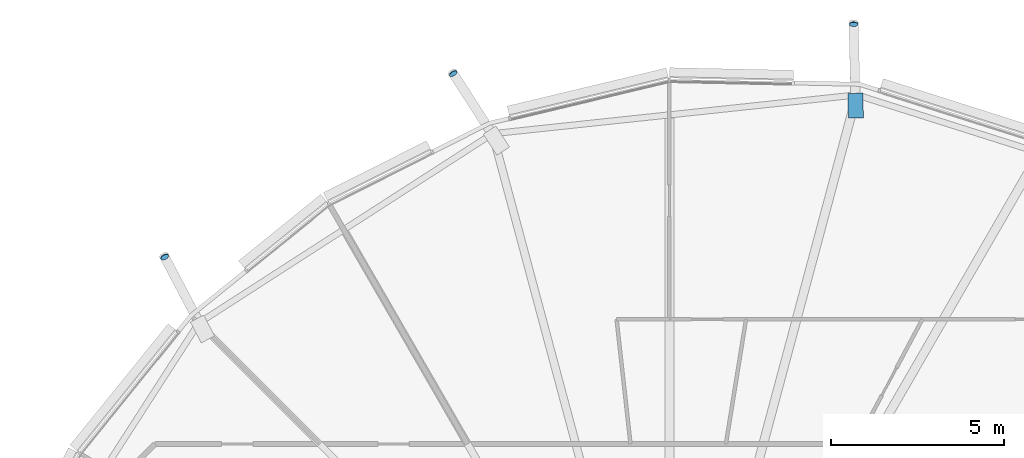
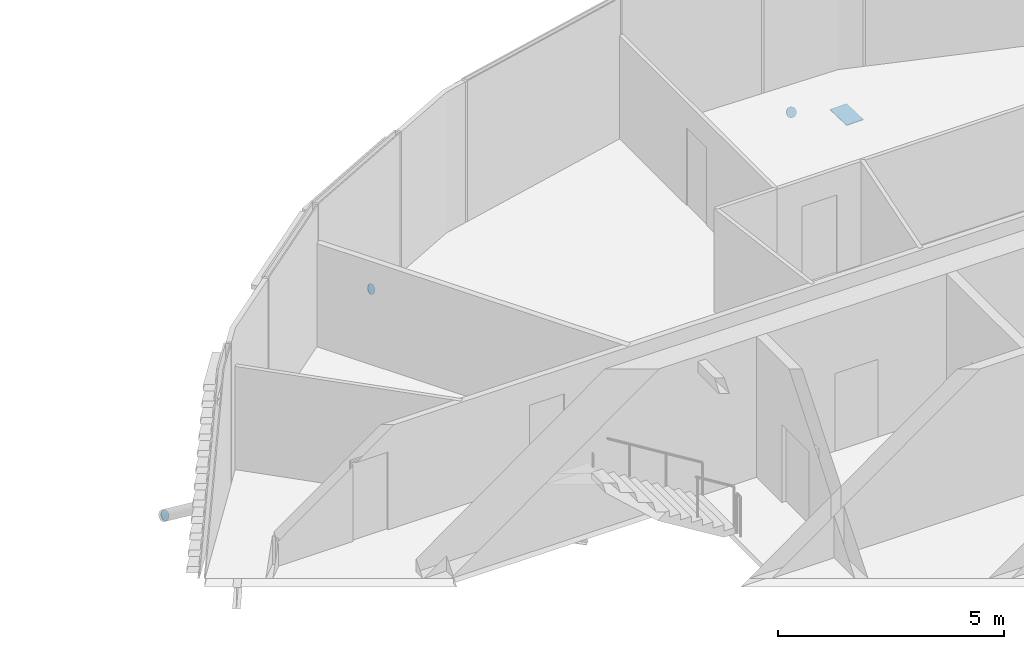
# One storey, part 32 of 38: 4 discrete accessories.
"""IFC4 building model written with IfcOpenShell, lengths in metres."""

from ifc_helpers import new_model, si_unit, direction, frame, origin, origin_2d, place, context, subcontext, project, spatial, polyline, rectangle, circle, outline, extrude, material, material_profile, profile_set, type_object, element, save


model = new_model("IFC4")

# Units and contexts
model_context = context("Model", 3, precision=1e-05, world=origin(), true_north=direction((0.0, 1.0)))
body_context = subcontext(model_context, "Body", "Model", "MODEL_VIEW")
ifc_project = project(units=[si_unit("LENGTHUNIT", "METRE"), si_unit("AREAUNIT", "SQUARE_METRE"), si_unit("VOLUMEUNIT", "CUBIC_METRE"), si_unit("PLANEANGLEUNIT", "RADIAN"), si_unit("MASSUNIT", "GRAM", prefix="KILO")], contexts=[model_context])

# Site, building, storey
site_placement = place(None, origin())
site = spatial("IfcSite", under=ifc_project, at=site_placement, CompositionType="ELEMENT")
building_placement = place(site_placement, origin())
building = spatial("IfcBuilding", under=site, at=building_placement, Name="Rimbun Link Towers", CompositionType="ELEMENT")
storey_placement = place(building_placement, frame((0.0, 0.0, 185.5)))
storey = spatial("IfcBuildingStorey", under=building, at=storey_placement, Name="L45", CompositionType="ELEMENT", Elevation=185.5)

# Discrete accessories
ifc_material_1 = material(Name="Steel S355J2H", Category="steel")
ifc_material_profile_1 = material_profile(ifc_material_1, circle(Radius=0.1240234375, at=origin_2d()), Name="PL D248")
ifc_profile_set_1 = profile_set([ifc_material_profile_1], Name="Steel S355J2H")
discrete_accessory_type_1 = type_object("IfcDiscreteAccessoryType", Name="Link foot sealing plate D248X20", PredefinedType="BRACKET", material=ifc_profile_set_1)
discrete_accessory_1_placement = place(storey_placement, frame((37.06494140625, 22.204833984375, -2.179931640625), z_axis=(-0.012196028888, 0.86591805103, -0.500037184397), x_axis=(-0.999900828085, -0.014083110255, 0.0)))
element("IfcDiscreteAccessory", 1, at=discrete_accessory_1_placement, inside=storey, type_object=discrete_accessory_type_1, Name="Link foot sealing plate T2 L45 02", PredefinedType="BRACKET", context=body_context, shape_type="SweptSolid", body=[
    extrude(circle(Radius=0.1240234375, at=origin_2d()), origin(), (0.0, 0.0, 1.0), 0.02001953125),
])
discrete_accessory_2_placement = place(storey_placement, frame((25.512451171875, 20.7822265625, -2.04736328125), z_axis=(-0.478536612991, 0.736210173832, -0.478536612991), x_axis=(-0.838443616301, -0.544988350595, 0.0)))
element("IfcDiscreteAccessory", 2, at=discrete_accessory_2_placement, inside=storey, type_object=discrete_accessory_type_1, Name="Link foot sealing plate T2 L45 04", PredefinedType="BRACKET", context=body_context, shape_type="SweptSolid", body=[
    extrude(circle(Radius=0.1240234375, at=origin_2d()), origin(), (0.0, 0.0, 1.0), 0.019775390625),
])
discrete_accessory_3_placement = place(storey_placement, frame((17.183349609375, 15.485595703125, -2.029052734375), z_axis=(-0.3904471923, 0.756491435081, -0.524663414653), x_axis=(-0.888620657055, -0.45864291977, 0.0)))
element("IfcDiscreteAccessory", 3, at=discrete_accessory_3_placement, inside=storey, type_object=discrete_accessory_type_1, Name="Link foot sealing plate T2 L45 06", PredefinedType="BRACKET", context=body_context, shape_type="SweptSolid", body=[
    extrude(circle(Radius=0.1240234375, at=origin_2d()), origin(), (0.0, 0.0, 1.0), 0.02001953125),
])
ifc_material_2 = material(Name="Steel S355J2H", Category="steel")
ifc_material_profile_2 = material_profile(ifc_material_2, rectangle(XDim=0.43310546875, YDim=0.43310546875, at=origin_2d()), Name="PL 433x433")
ifc_profile_set_2 = profile_set([ifc_material_profile_2], Name="Steel S355J2H")
discrete_accessory_type_2 = type_object("IfcDiscreteAccessoryType", Name="Link head end plate 433X20", PredefinedType="BRACKET", material=ifc_profile_set_2)
discrete_accessory_4_placement = place(storey_placement, frame((0.0, 0.0, -0.853515625)))
element("IfcDiscreteAccessory", 4, at=discrete_accessory_4_placement, inside=storey, type_object=discrete_accessory_type_2, Name="Link head end plate T2 L45 02", PredefinedType="BRACKET", context=body_context, shape_type="SweptSolid", body=[
    extrude(outline(polyline([(37.347900390625, 19.50927734375), (37.330322265625, 20.223388671875), (36.8974609375, 20.212890625), (36.914794921875, 19.49853515625), (37.347900390625, 19.50927734375)])), origin(), (0.0, 0.0, 1.0), 0.02001953125),
])

save(model, "model.ifc")
